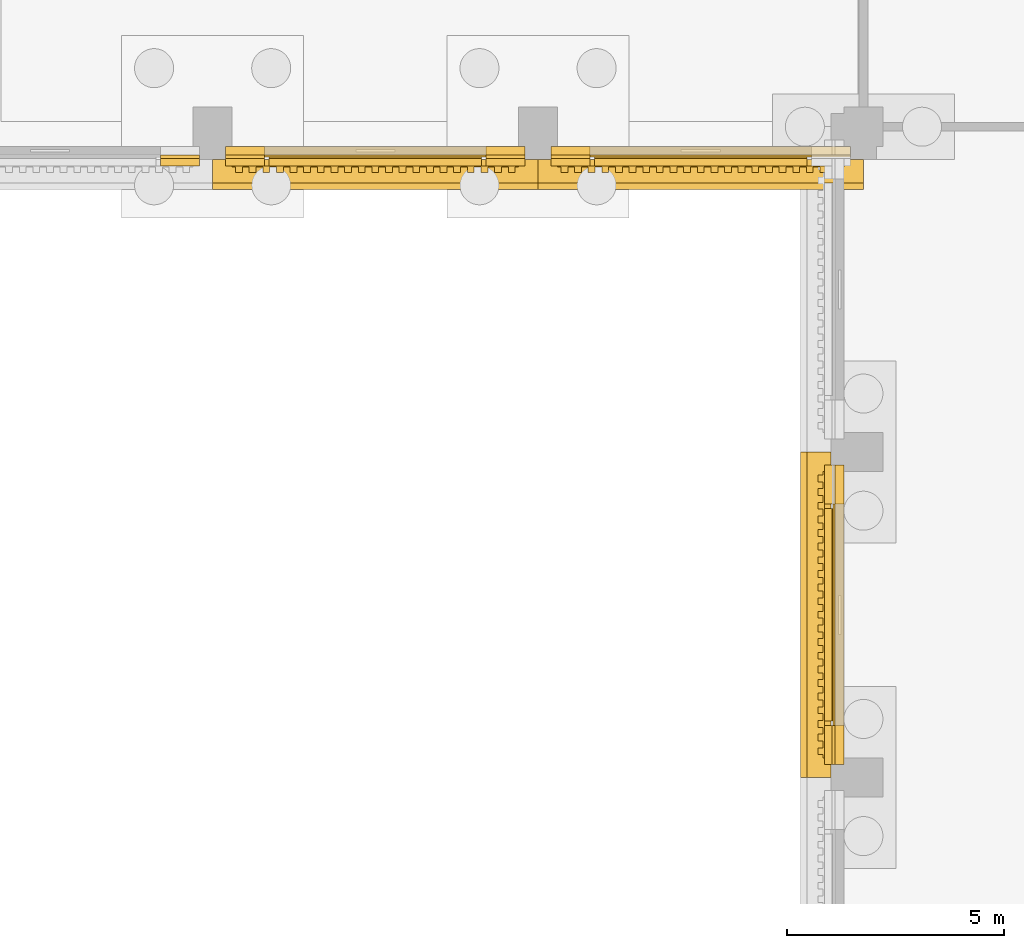
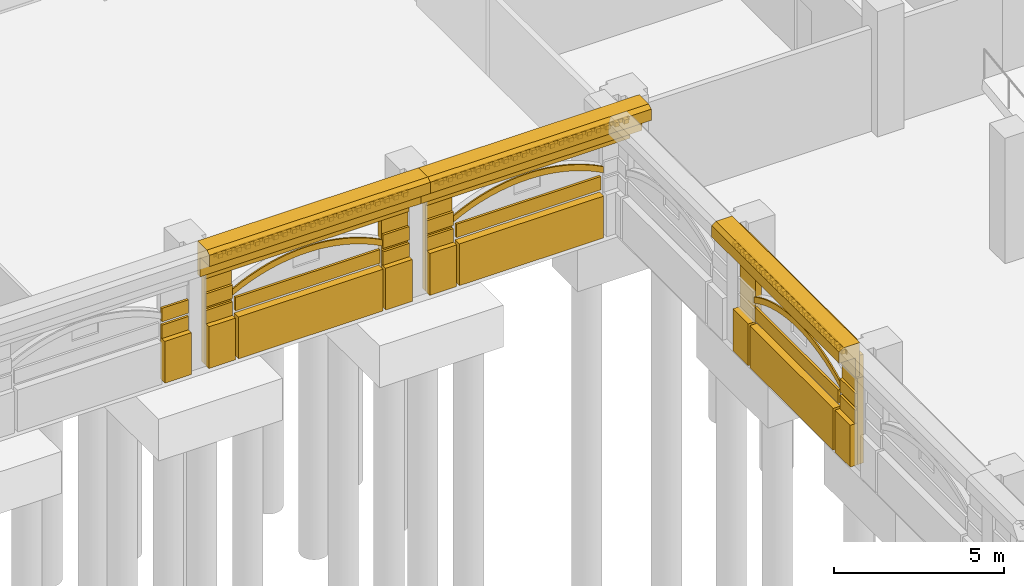
# One storey, part 83 of 99: 39 coverings.
"""IFC4 building model written with IfcOpenShell, lengths in metres."""

import ifcopenshell
import ifcopenshell.guid

model = None  # the IFC model being written
_history = None  # IfcOwnerHistory: only IFC2X3 demands one
_inside = {}  # id of a spatial element -> (the spatial element, [elements in it])
_under = {}  # id of a project, library or spatial element -> (it, [spatial elements below it])
_declared = {}  # id of a project -> (the project, [libraries it declares])
_typed = {}  # id of a type object -> (the type object, [elements of that type])
_made_of = {}  # id of a material, layer set ... -> (it, [elements and type objects made of it])


def new_model(schema):
    """Start an empty IFC model of exactly this schema.

    Asked for "IFC4X3", IfcOpenShell would pick the latest addendum, in which some entities
    have other attributes; the version numbers below select the first issue.
    IFC2X3 requires an IfcOwnerHistory on every rooted entity: one is made here for all.
    """
    global model, _history
    if schema == "IFC4X3":
        model = ifcopenshell.file(schema_version=(4, 3, 0, 0))
    else:
        model = ifcopenshell.file(schema=schema)
    _inside.clear()
    _under.clear()
    _declared.clear()
    _typed.clear()
    _made_of.clear()
    _history = None
    if model.schema == "IFC2X3":
        org = make("IfcOrganization", Name="unknown")
        user = make(
            "IfcPersonAndOrganization",
            ThePerson=make("IfcPerson", FamilyName="unknown"),
            TheOrganization=org,
        )
        app = make(
            "IfcApplication",
            ApplicationDeveloper=org,
            Version="unknown",
            ApplicationFullName="unknown",
            ApplicationIdentifier="unknown",
        )
        _history = make(
            "IfcOwnerHistory",
            OwningUser=user,
            OwningApplication=app,
            ChangeAction="ADDED",
            CreationDate=0,
        )
    return model


def make(cls, **values):
    """One entity of the class cls with the attributes given. An attribute that is None is left unset."""
    return model.create_entity(
        cls, **{name: value for name, value in values.items() if value is not None}
    )


def rooted(cls, **values):
    """An entity with a GlobalId (a new one), such as an element, a storey or a relation."""
    return make(cls, GlobalId=ifcopenshell.guid.new(), OwnerHistory=_history, **values)


def si_unit(unit_type, name, prefix=None):
    """IfcSIUnit, for example si_unit("LENGTHUNIT", "METRE", prefix="MILLI")."""
    return make("IfcSIUnit", UnitType=unit_type, Prefix=prefix, Name=name)


def assignment(units):
    """IfcUnitAssignment: the units of a project."""
    return None if units is None else make("IfcUnitAssignment", Units=units)


def point(xyz):
    """IfcCartesianPoint."""
    return None if xyz is None else make("IfcCartesianPoint", Coordinates=xyz)


def direction(xyz):
    """IfcDirection."""
    return None if xyz is None else make("IfcDirection", DirectionRatios=xyz)


def frame(location, z_axis=None, x_axis=None):
    """IfcAxis2Placement3D, a coordinate frame: its origin and axes. An axis left out is left unset."""
    return make(
        "IfcAxis2Placement3D",
        Location=point(location),
        Axis=direction(z_axis),
        RefDirection=direction(x_axis),
    )


def origin():
    """The frame at (0, 0, 0) with its axes left unset."""
    return frame((0.0, 0.0, 0.0))


def place(relative_to, where):
    """IfcLocalPlacement: puts the frame where relative to a parent placement (None: the world)."""
    return make(
        "IfcLocalPlacement", PlacementRelTo=relative_to, RelativePlacement=where
    )


def context(
    kind, dimensions, precision=None, world=None, true_north=None, identifier=None
):
    """IfcGeometricRepresentationContext, for example the 3D "Model" context."""
    return make(
        "IfcGeometricRepresentationContext",
        ContextIdentifier=identifier,
        ContextType=kind,
        CoordinateSpaceDimension=dimensions,
        Precision=precision,
        WorldCoordinateSystem=world,
        TrueNorth=true_north,
    )


def subcontext(parent, identifier, kind, view, scale=None):
    """IfcGeometricRepresentationSubContext, for example "Body" below "Model"."""
    return make(
        "IfcGeometricRepresentationSubContext",
        ContextIdentifier=identifier,
        ContextType=kind,
        ParentContext=parent,
        TargetScale=scale,
        TargetView=view,
    )


def project(units=None, contexts=None):
    """IfcProject with its units and contexts."""
    return rooted(
        "IfcProject",
        Name="project",
        RepresentationContexts=contexts,
        UnitsInContext=assignment(units),
    )


def spatial(cls, under=None, at=None, **own):
    """A site, building, storey or space (cls), placed at a placement, below another one or the project."""
    s = rooted(cls, ObjectPlacement=at, **own)
    if under is not None:
        _under.setdefault(under.id(), (under, []))[1].append(s)
    return s


def polyline(points):
    """IfcPolyline through the points."""
    return make("IfcPolyline", Points=[point(p) for p in points])


def outline(outer, holes=None, kind="AREA"):
    """IfcArbitraryClosedProfileDef: a profile drawn as a closed curve; with holes, ...WithVoids."""
    if holes is None:
        return make("IfcArbitraryClosedProfileDef", ProfileType=kind, OuterCurve=outer)
    return make(
        "IfcArbitraryProfileDefWithVoids",
        ProfileType=kind,
        OuterCurve=outer,
        InnerCurves=holes,
    )


def extrude(swept, where, along, depth):
    """IfcExtrudedAreaSolid: the profile swept, set in the frame where, extruded along a direction by depth."""
    return make(
        "IfcExtrudedAreaSolid",
        SweptArea=swept,
        Position=where,
        ExtrudedDirection=direction(along),
        Depth=depth,
    )


def shape(context_of_items, identifier, shape_type, items):
    """IfcShapeRepresentation: the items that make up one representation, for example the "Body"."""
    return make(
        "IfcShapeRepresentation",
        ContextOfItems=context_of_items,
        RepresentationIdentifier=identifier,
        RepresentationType=shape_type,
        Items=items,
    )


def material(Name=None, Category=None):
    """IfcMaterial."""
    return make("IfcMaterial", Name=Name, Category=Category)


def layer(
    of_material, thickness, ventilated=None, Name=None, Category=None, Priority=None
):
    """IfcMaterialLayer: one layer of a wall or slab, of a material (None: an air gap)."""
    return make(
        "IfcMaterialLayer",
        Material=of_material,
        LayerThickness=thickness,
        IsVentilated=ventilated,
        Name=Name,
        Category=Category,
        Priority=Priority,
    )


def layer_set(layers, Name=None):
    """IfcMaterialLayerSet."""
    return make("IfcMaterialLayerSet", MaterialLayers=layers, LayerSetName=Name)


def made_of(thing, what):
    """Note that an element or type object is made of a material, layer set ...; save() writes the relation."""
    if what is not None:
        _made_of.setdefault(what.id(), (what, []))[1].append(thing)
    return thing


def type_object(cls, material=None, **own):
    """A type object (cls), such as IfcWallType, which elements share."""
    return made_of(rooted(cls, **own), material)


def element(
    cls,
    number,
    at=None,
    inside=None,
    cuts=None,
    type_object=None,
    material=None,
    context=None,
    identifier="Body",
    shape_type=None,
    held_by="IfcProductDefinitionShape",
    body=None,
    shapes=None,
    **own,
):
    """One element of the class cls, such as IfcWall. Its Tag is "e" and its number.

    at: its placement. inside: the storey or other place that contains it. cuts: it is an
    opening in that element (IfcRelVoidsElement). A single representation is given by context,
    identifier, shape_type and body (its items); several are given by shapes. held_by: the class
    of the entity that holds the representations. save() writes the other relations.
    """
    e = rooted(cls, Tag="e%d" % number, ObjectPlacement=at, **own)
    if body is not None:
        shapes = [shape(context, identifier, shape_type, body)]
    if shapes is not None:
        e.Representation = make(held_by, Representations=shapes)
    if inside is not None:
        _inside.setdefault(inside.id(), (inside, []))[1].append(e)
    if cuts is not None:
        rooted(
            "IfcRelVoidsElement", RelatingBuildingElement=cuts, RelatedOpeningElement=e
        )
    if type_object is not None:
        _typed.setdefault(type_object.id(), (type_object, []))[1].append(e)
    return made_of(e, material)


def aggregate(whole, parts):
    """IfcRelAggregates: a whole, such as a stair, and the parts it consists of."""
    return rooted("IfcRelAggregates", RelatingObject=whole, RelatedObjects=parts)


def save(model, path):
    """Write the relations noted so far, then the file.

    IfcRelAggregates (storeys below a building ...), IfcRelContainedInSpatialStructure (elements
    in a storey), IfcRelDefinesByType, IfcRelAssociatesMaterial and IfcRelDeclares: one each for
    every whole, place, type object, material and project.
    """
    for whole, parts in _under.values():
        aggregate(whole, parts)
    for where, things in _inside.values():
        rooted(
            "IfcRelContainedInSpatialStructure",
            RelatedElements=things,
            RelatingStructure=where,
        )
    for kind, things in _typed.values():
        rooted("IfcRelDefinesByType", RelatedObjects=things, RelatingType=kind)
    for what, things in _made_of.values():
        rooted("IfcRelAssociatesMaterial", RelatedObjects=things, RelatingMaterial=what)
    for by, libraries in _declared.values():
        rooted("IfcRelDeclares", RelatingContext=by, RelatedDefinitions=libraries)
    model.write(path)


model = new_model("IFC4")

# Units and contexts
model_context = context("Model", 3, precision=1e-05, world=origin(), true_north=direction((0.0, 1.0)))
body_context = subcontext(model_context, "Body", "Model", "MODEL_VIEW")
ifc_project = project(units=[si_unit("LENGTHUNIT", "METRE"), si_unit("AREAUNIT", "SQUARE_METRE"), si_unit("VOLUMEUNIT", "CUBIC_METRE"), si_unit("PLANEANGLEUNIT", "RADIAN"), si_unit("MASSUNIT", "GRAM", prefix="KILO")], contexts=[model_context])

# Site, building, storey
site_placement = place(None, origin())
site = spatial("IfcSite", under=ifc_project, at=site_placement, CompositionType="ELEMENT")
building_placement = place(site_placement, origin())
building = spatial("IfcBuilding", under=site, at=building_placement, Name="Cour d'Honneur Mobility Palace", CompositionType="ELEMENT")
storey_placement = place(building_placement, origin())
storey = spatial("IfcBuildingStorey", under=building, at=storey_placement, Name="L00", CompositionType="ELEMENT", Elevation=0.0)

# Coverings
ifc_material_1 = material(Name="Cast limestone", Category="masonry")
ifc_layer_1 = layer(ifc_material_1, 0.050048828125)
ifc_layer_set_1 = layer_set([ifc_layer_1], Name="Cast limestone")
covering_type_1 = type_object("IfcCoveringType", Name="Arch hood", PredefinedType="CLADDING", material=ifc_layer_set_1)
for number, where, z_axis, x_axis, name in (
    (1, (131.10009765625, 44.300048828125, 2.179931640625), (0.0, -1.0, 0.0), (0.893466628376, 0.0, 0.449129584839), "Arch hood AH-22"),
    (2, (138.60009765625, 44.300048828125, 2.179931640625), (0.0, -1.0, 0.0), (0.893466628376, 0.0, 0.449129584839), "Arch hood AH-23"),
):
    element("IfcCovering", number, at=place(storey_placement, frame(where, z_axis=z_axis, x_axis=x_axis)), inside=storey, type_object=covering_type_1, Name=name, PredefinedType="CLADDING", context=body_context, shape_type="SweptSolid", body=[
        extrude(outline(polyline([(0.0, 0.0), (0.35659251896621735, 0.0), (0.7019994885684498, -0.022795326888668588), (1.0365522012474004, -0.0666397586034293), (1.3614544754480467, -0.13022567619190017), (1.6770364335570624, -0.21235277137119013), (1.9834088964060255, -0.3122569988605455), (2.2812274285521696, -0.4297213972129261), (2.5701654177709066, -0.564308533372167), (2.850768777841922, -0.7160195773922962), (3.122709726486599, -0.8849630099968336), (3.38566048142632, -1.0712473119092998), (3.6398380041081246, -1.2755280476869282), (3.8844770791972314, -1.4982403102778272), (4.119465715808033, -1.740694058742436), (4.343818226996622, -2.004306562810686), (4.556548925819088, -2.2904950922125074), (4.655344276390369, -2.0939586097498237), (4.44272322834545, -1.807551948846934), (4.218261066379314, -1.5441575762797524), (3.983272429768512, -1.3017038278151434), (3.7387430054569535, -1.078773433723176), (3.4844558319976, -0.8747108294466162), (3.221505077057879, -0.68842652753415), (2.949564128413202, -0.5194830949296125), (2.6689607683421865, -0.3677720509094833), (2.3800227791234496, -0.2331849147502425), (2.0822042469773057, -0.11572051639786185), (1.7758317841283424, -0.015816288908506504), (1.4603594767968753, 0.06652893777185187), (1.1353475518186806, 0.12989672385925438), (0.8007948391397299, 0.17374115557401504), (0.45549752031504603, 0.1967546139637521), (0.09879535057128006, 0.19653648246268365), (0.0, 0.0)])), origin(), (0.0, 0.0, -1.0), 0.050048828125),
    ])
covering_1_placement = place(storey_placement, frame((144.199951171875, 36.300048828125, 2.179931640625), z_axis=(-1.0, 0.0, 0.0), x_axis=(0.0, -0.893604607308, 0.448854994176)))
element("IfcCovering", 3, at=covering_1_placement, inside=storey, type_object=covering_type_1, Name="Arch hood AH-25", PredefinedType="CLADDING", context=body_context, shape_type="SweptSolid", body=[
    extrude(outline(polyline([(0.0, 0.0), (0.35681066731556765, 2.7755575615628914e-17), (0.7020064606072944, -0.022579595743628944), (1.0367907964215308, -0.06643079839719385), (1.3617125957426337, -0.129916867910564), (1.677101612077335, -0.2118373946082709), (1.9837229270167351, -0.31175705040594615), (2.2813593776637964, -0.4290203374513023), (2.570556878131994, -0.5636282580346337), (2.8512068469728096, -0.7152530632297959), (3.1229815352600987, -0.884003334485308), (3.3862076896297117, -1.070316404466126), (3.640229812229361, -1.2744094360692875), (3.885155482217271, -1.4971560923344107), (4.120218615712047, -1.7395376154593394), (4.344433961354672, -2.0029715780165787), (4.557470763348117, -2.2892043037950724), (4.656205712018263, -2.0926374700096892), (4.44327849376363, -1.8061865790438643), (4.218953564382193, -1.5429707816739562), (3.9838904308874175, -1.3005892585490275), (3.73907434463832, -1.0776244370965733), (3.484942638299858, -0.873749570680743), (3.221716483930245, -0.6874365006999249), (2.949941795642956, -0.5186862294444128), (2.6692918268021404, -0.3670614242492506), (2.3800943263339427, -0.23245350366591921), (2.0824578756868815, -0.11519021662056306), (1.7758365607474815, -0.015270560822887802), (1.460557128151593, 0.06686813106215028), (1.1355257450916771, 0.1301360353881893), (0.8007414092774409, 0.17398723804175414), (0.4556551997245267, 0.1967849989727143), (0.09873494867014648, 0.19656683378538312), (0.0, 0.0)])), origin(), (0.0, 0.0, -1.0), 0.050048828125),
])
ifc_material_2 = material(Name="Cast limestone", Category="masonry")
ifc_layer_2 = layer(ifc_material_2, 0.14990234375)
ifc_layer_set_2 = layer_set([ifc_layer_2], Name="Cast limestone")
covering_type_2 = type_object("IfcCoveringType", Name="Dentil course", PredefinedType="CLADDING", material=ifc_layer_set_2)
covering_2_placement = place(storey_placement, frame((0.0, 0.0, 3.949951171875)))
element("IfcCovering", 4, at=covering_2_placement, inside=storey, type_object=covering_type_2, Name="Dentil course DC-16", PredefinedType="CLADDING", context=body_context, shape_type="SweptSolid", body=[
    extrude(outline(polyline([(130.35009765625, 44.10009765625), (136.949951171875, 44.10009765625), (136.949951171875, 44.070068359375), (136.949951171875, 44.070068359375), (136.871337890625, 44.070068359375), (136.871337890625, 43.949951171875), (136.71435546875, 43.949951171875), (136.71435546875, 44.070068359375), (136.6357421875, 44.070068359375), (136.6357421875, 44.070068359375), (136.55712890625, 44.070068359375), (136.55712890625, 43.949951171875), (136.39990234375, 43.949951171875), (136.39990234375, 44.070068359375), (136.321533203125, 44.070068359375), (136.321533203125, 44.070068359375), (136.242919921875, 44.070068359375), (136.242919921875, 43.949951171875), (136.085693359375, 43.949951171875), (136.085693359375, 44.070068359375), (136.007080078125, 44.070068359375), (136.007080078125, 44.070068359375), (135.928466796875, 44.070068359375), (135.928466796875, 43.949951171875), (135.771484375, 43.949951171875), (135.771484375, 44.070068359375), (135.69287109375, 44.070068359375), (135.69287109375, 44.070068359375), (135.6142578125, 44.070068359375), (135.6142578125, 43.949951171875), (135.45703125, 43.949951171875), (135.45703125, 44.070068359375), (135.378662109375, 44.070068359375), (135.378662109375, 44.070068359375), (135.300048828125, 44.070068359375), (135.300048828125, 43.949951171875), (135.142822265625, 43.949951171875), (135.142822265625, 44.070068359375), (135.064208984375, 44.070068359375), (135.064208984375, 44.070068359375), (134.985595703125, 44.070068359375), (134.985595703125, 43.949951171875), (134.82861328125, 43.949951171875), (134.82861328125, 44.070068359375), (134.75, 44.070068359375), (134.75, 44.070068359375), (134.67138671875, 44.070068359375), (134.67138671875, 43.949951171875), (134.514404296875, 43.949951171875), (134.514404296875, 44.070068359375), (134.435791015625, 44.070068359375), (134.435791015625, 44.070068359375), (134.357177734375, 44.070068359375), (134.357177734375, 43.949951171875), (134.199951171875, 43.949951171875), (134.199951171875, 44.070068359375), (134.121337890625, 44.070068359375), (134.121337890625, 44.070068359375), (134.04296875, 44.070068359375), (134.04296875, 43.949951171875), (133.8857421875, 43.949951171875), (133.8857421875, 44.070068359375), (133.80712890625, 44.070068359375), (133.80712890625, 44.070068359375), (133.728515625, 44.070068359375), (133.728515625, 43.949951171875), (133.571533203125, 43.949951171875), (133.571533203125, 44.070068359375), (133.492919921875, 44.070068359375), (133.492919921875, 44.070068359375), (133.414306640625, 44.070068359375), (133.414306640625, 43.949951171875), (133.257080078125, 43.949951171875), (133.257080078125, 44.070068359375), (133.178466796875, 44.070068359375), (133.178466796875, 44.070068359375), (133.10009765625, 44.070068359375), (133.10009765625, 43.949951171875), (132.94287109375, 43.949951171875), (132.94287109375, 44.070068359375), (132.8642578125, 44.070068359375), (132.8642578125, 44.070068359375), (132.78564453125, 44.070068359375), (132.78564453125, 43.949951171875), (132.628662109375, 43.949951171875), (132.628662109375, 44.070068359375), (132.550048828125, 44.070068359375), (132.550048828125, 44.070068359375), (132.471435546875, 44.070068359375), (132.471435546875, 43.949951171875), (132.314208984375, 43.949951171875), (132.314208984375, 44.070068359375), (132.235595703125, 44.070068359375), (132.235595703125, 44.070068359375), (132.1572265625, 44.070068359375), (132.1572265625, 43.949951171875), (132.0, 43.949951171875), (132.0, 44.070068359375), (131.92138671875, 44.070068359375), (131.92138671875, 44.070068359375), (131.8427734375, 44.070068359375), (131.8427734375, 43.949951171875), (131.685791015625, 43.949951171875), (131.685791015625, 44.070068359375), (131.607177734375, 44.070068359375), (131.607177734375, 44.070068359375), (131.528564453125, 44.070068359375), (131.528564453125, 43.949951171875), (131.371337890625, 43.949951171875), (131.371337890625, 44.070068359375), (131.29296875, 44.070068359375), (131.29296875, 44.070068359375), (131.21435546875, 44.070068359375), (131.21435546875, 43.949951171875), (131.05712890625, 43.949951171875), (131.05712890625, 44.070068359375), (130.978515625, 44.070068359375), (130.978515625, 44.070068359375), (130.89990234375, 44.070068359375), (130.89990234375, 43.949951171875), (130.742919921875, 43.949951171875), (130.742919921875, 44.070068359375), (130.664306640625, 44.070068359375), (130.664306640625, 44.070068359375), (130.585693359375, 44.070068359375), (130.585693359375, 43.949951171875), (130.428466796875, 43.949951171875), (130.428466796875, 44.070068359375), (130.35009765625, 44.070068359375), (130.35009765625, 44.10009765625)])), origin(), (0.0, 0.0, 1.0), 0.150146484375),
])
covering_3_placement = place(storey_placement, frame((0.0, 0.0, 3.949951171875)))
element("IfcCovering", 5, at=covering_3_placement, inside=storey, type_object=covering_type_2, Name="Dentil course DC-17", PredefinedType="CLADDING", context=body_context, shape_type="SweptSolid", body=[
    extrude(outline(polyline([(137.85009765625, 44.10009765625), (144.449951171875, 44.10009765625), (144.449951171875, 44.070068359375), (144.449951171875, 44.070068359375), (144.371337890625, 44.070068359375), (144.371337890625, 43.949951171875), (144.21435546875, 43.949951171875), (144.21435546875, 44.070068359375), (144.1357421875, 44.070068359375), (144.1357421875, 44.070068359375), (144.05712890625, 44.070068359375), (144.05712890625, 43.949951171875), (143.89990234375, 43.949951171875), (143.89990234375, 44.070068359375), (143.821533203125, 44.070068359375), (143.821533203125, 44.070068359375), (143.742919921875, 44.070068359375), (143.742919921875, 43.949951171875), (143.585693359375, 43.949951171875), (143.585693359375, 44.070068359375), (143.507080078125, 44.070068359375), (143.507080078125, 44.070068359375), (143.428466796875, 44.070068359375), (143.428466796875, 43.949951171875), (143.271484375, 43.949951171875), (143.271484375, 44.070068359375), (143.19287109375, 44.070068359375), (143.19287109375, 44.070068359375), (143.1142578125, 44.070068359375), (143.1142578125, 43.949951171875), (142.95703125, 43.949951171875), (142.95703125, 44.070068359375), (142.878662109375, 44.070068359375), (142.878662109375, 44.070068359375), (142.800048828125, 44.070068359375), (142.800048828125, 43.949951171875), (142.642822265625, 43.949951171875), (142.642822265625, 44.070068359375), (142.564208984375, 44.070068359375), (142.564208984375, 44.070068359375), (142.485595703125, 44.070068359375), (142.485595703125, 43.949951171875), (142.32861328125, 43.949951171875), (142.32861328125, 44.070068359375), (142.25, 44.070068359375), (142.25, 44.070068359375), (142.17138671875, 44.070068359375), (142.17138671875, 43.949951171875), (142.014404296875, 43.949951171875), (142.014404296875, 44.070068359375), (141.935791015625, 44.070068359375), (141.935791015625, 44.070068359375), (141.857177734375, 44.070068359375), (141.857177734375, 43.949951171875), (141.699951171875, 43.949951171875), (141.699951171875, 44.070068359375), (141.621337890625, 44.070068359375), (141.621337890625, 44.070068359375), (141.54296875, 44.070068359375), (141.54296875, 43.949951171875), (141.3857421875, 43.949951171875), (141.3857421875, 44.070068359375), (141.30712890625, 44.070068359375), (141.30712890625, 44.070068359375), (141.228515625, 44.070068359375), (141.228515625, 43.949951171875), (141.071533203125, 43.949951171875), (141.071533203125, 44.070068359375), (140.992919921875, 44.070068359375), (140.992919921875, 44.070068359375), (140.914306640625, 44.070068359375), (140.914306640625, 43.949951171875), (140.757080078125, 43.949951171875), (140.757080078125, 44.070068359375), (140.678466796875, 44.070068359375), (140.678466796875, 44.070068359375), (140.60009765625, 44.070068359375), (140.60009765625, 43.949951171875), (140.44287109375, 43.949951171875), (140.44287109375, 44.070068359375), (140.3642578125, 44.070068359375), (140.3642578125, 44.070068359375), (140.28564453125, 44.070068359375), (140.28564453125, 43.949951171875), (140.128662109375, 43.949951171875), (140.128662109375, 44.070068359375), (140.050048828125, 44.070068359375), (140.050048828125, 44.070068359375), (139.971435546875, 44.070068359375), (139.971435546875, 43.949951171875), (139.814208984375, 43.949951171875), (139.814208984375, 44.070068359375), (139.735595703125, 44.070068359375), (139.735595703125, 44.070068359375), (139.6572265625, 44.070068359375), (139.6572265625, 43.949951171875), (139.5, 43.949951171875), (139.5, 44.070068359375), (139.42138671875, 44.070068359375), (139.42138671875, 44.070068359375), (139.3427734375, 44.070068359375), (139.3427734375, 43.949951171875), (139.185791015625, 43.949951171875), (139.185791015625, 44.070068359375), (139.107177734375, 44.070068359375), (139.107177734375, 44.070068359375), (139.028564453125, 44.070068359375), (139.028564453125, 43.949951171875), (138.871337890625, 43.949951171875), (138.871337890625, 44.070068359375), (138.79296875, 44.070068359375), (138.79296875, 44.070068359375), (138.71435546875, 44.070068359375), (138.71435546875, 43.949951171875), (138.55712890625, 43.949951171875), (138.55712890625, 44.070068359375), (138.478515625, 44.070068359375), (138.478515625, 44.070068359375), (138.39990234375, 44.070068359375), (138.39990234375, 43.949951171875), (138.242919921875, 43.949951171875), (138.242919921875, 44.070068359375), (138.164306640625, 44.070068359375), (138.164306640625, 44.070068359375), (138.085693359375, 44.070068359375), (138.085693359375, 43.949951171875), (137.928466796875, 43.949951171875), (137.928466796875, 44.070068359375), (137.85009765625, 44.070068359375), (137.85009765625, 44.10009765625)])), origin(), (0.0, 0.0, 1.0), 0.150146484375),
])
covering_4_placement = place(storey_placement, frame((0.0, 0.0, 3.949951171875)))
element("IfcCovering", 6, at=covering_4_placement, inside=storey, type_object=covering_type_2, Name="Dentil course DC-19", PredefinedType="CLADDING", context=body_context, shape_type="SweptSolid", body=[
    extrude(outline(polyline([(144.0, 37.050048828125), (144.0, 30.449951171875), (143.969970703125, 30.449951171875), (143.969970703125, 30.449951171875), (143.969970703125, 30.528564453125), (143.85009765625, 30.528564453125), (143.85009765625, 30.685791015625), (143.969970703125, 30.685791015625), (143.969970703125, 30.764404296875), (143.969970703125, 30.764404296875), (143.969970703125, 30.8427734375), (143.85009765625, 30.8427734375), (143.85009765625, 31.0), (143.969970703125, 31.0), (143.969970703125, 31.07861328125), (143.969970703125, 31.07861328125), (143.969970703125, 31.1572265625), (143.85009765625, 31.1572265625), (143.85009765625, 31.314208984375), (143.969970703125, 31.314208984375), (143.969970703125, 31.392822265625), (143.969970703125, 31.392822265625), (143.969970703125, 31.471435546875), (143.85009765625, 31.471435546875), (143.85009765625, 31.628662109375), (143.969970703125, 31.628662109375), (143.969970703125, 31.70703125), (143.969970703125, 31.70703125), (143.969970703125, 31.78564453125), (143.85009765625, 31.78564453125), (143.85009765625, 31.94287109375), (143.969970703125, 31.94287109375), (143.969970703125, 32.021484375), (143.969970703125, 32.021484375), (143.969970703125, 32.10009765625), (143.85009765625, 32.10009765625), (143.85009765625, 32.257080078125), (143.969970703125, 32.257080078125), (143.969970703125, 32.335693359375), (143.969970703125, 32.335693359375), (143.969970703125, 32.414306640625), (143.85009765625, 32.414306640625), (143.85009765625, 32.571533203125), (143.969970703125, 32.571533203125), (143.969970703125, 32.64990234375), (143.969970703125, 32.64990234375), (143.969970703125, 32.728515625), (143.85009765625, 32.728515625), (143.85009765625, 32.8857421875), (143.969970703125, 32.8857421875), (143.969970703125, 32.96435546875), (143.969970703125, 32.96435546875), (143.969970703125, 33.04296875), (143.85009765625, 33.04296875), (143.85009765625, 33.199951171875), (143.969970703125, 33.199951171875), (143.969970703125, 33.278564453125), (143.969970703125, 33.278564453125), (143.969970703125, 33.357177734375), (143.85009765625, 33.357177734375), (143.85009765625, 33.514404296875), (143.969970703125, 33.514404296875), (143.969970703125, 33.5927734375), (143.969970703125, 33.5927734375), (143.969970703125, 33.67138671875), (143.85009765625, 33.67138671875), (143.85009765625, 33.82861328125), (143.969970703125, 33.82861328125), (143.969970703125, 33.9072265625), (143.969970703125, 33.9072265625), (143.969970703125, 33.985595703125), (143.85009765625, 33.985595703125), (143.85009765625, 34.142822265625), (143.969970703125, 34.142822265625), (143.969970703125, 34.221435546875), (143.969970703125, 34.221435546875), (143.969970703125, 34.300048828125), (143.85009765625, 34.300048828125), (143.85009765625, 34.45703125), (143.969970703125, 34.45703125), (143.969970703125, 34.53564453125), (143.969970703125, 34.53564453125), (143.969970703125, 34.6142578125), (143.85009765625, 34.6142578125), (143.85009765625, 34.771484375), (143.969970703125, 34.771484375), (143.969970703125, 34.85009765625), (143.969970703125, 34.85009765625), (143.969970703125, 34.928466796875), (143.85009765625, 34.928466796875), (143.85009765625, 35.085693359375), (143.969970703125, 35.085693359375), (143.969970703125, 35.164306640625), (143.969970703125, 35.164306640625), (143.969970703125, 35.242919921875), (143.85009765625, 35.242919921875), (143.85009765625, 35.39990234375), (143.969970703125, 35.39990234375), (143.969970703125, 35.478515625), (143.969970703125, 35.478515625), (143.969970703125, 35.55712890625), (143.85009765625, 35.55712890625), (143.85009765625, 35.71435546875), (143.969970703125, 35.71435546875), (143.969970703125, 35.79296875), (143.969970703125, 35.79296875), (143.969970703125, 35.871337890625), (143.85009765625, 35.871337890625), (143.85009765625, 36.028564453125), (143.969970703125, 36.028564453125), (143.969970703125, 36.107177734375), (143.969970703125, 36.107177734375), (143.969970703125, 36.185791015625), (143.85009765625, 36.185791015625), (143.85009765625, 36.3427734375), (143.969970703125, 36.3427734375), (143.969970703125, 36.42138671875), (143.969970703125, 36.42138671875), (143.969970703125, 36.5), (143.85009765625, 36.5), (143.85009765625, 36.6572265625), (143.969970703125, 36.6572265625), (143.969970703125, 36.735595703125), (143.969970703125, 36.735595703125), (143.969970703125, 36.814208984375), (143.85009765625, 36.814208984375), (143.85009765625, 36.971435546875), (143.969970703125, 36.971435546875), (143.969970703125, 37.050048828125), (144.0, 37.050048828125)])), origin(), (0.0, 0.0, 1.0), 0.150146484375),
])
ifc_material_3 = material(Name="Cast limestone", Category="masonry")
ifc_layer_3 = layer(ifc_material_3, 0.699951171875)
ifc_layer_set_3 = layer_set([ifc_layer_3], Name="Cast limestone")
covering_type_3 = type_object("IfcCoveringType", Name="Entablature", PredefinedType="CLADDING", material=ifc_layer_set_3)
for number, where, z_axis, x_axis, name in (
    (7, (129.89990234375, 44.25, 3.39990234375), (-1.0, 0.0, 0.0), (0.0, -1.0, 0.0), "Entablature EN-16"),
    (8, (137.39990234375, 44.25, 3.39990234375), (-1.0, 0.0, 0.0), (0.0, -1.0, 0.0), "Entablature EN-17"),
):
    element("IfcCovering", number, at=place(storey_placement, frame(where, z_axis=z_axis, x_axis=x_axis)), inside=storey, type_object=covering_type_3, Name=name, PredefinedType="CLADDING", context=body_context, shape_type="SweptSolid", body=[
        extrude(outline(polyline([(0.0, 0.0), (0.14990234375, 0.0), (0.14990234375, 0.7001953125), (0.699951171875, 0.7001953125), (0.699951171875, 1.10009765625), (0.550048828125, 1.2001953125), (0.0, 1.2001953125), (0.0, 0.0)])), origin(), (0.0, 0.0, -1.0), 7.5),
    ])
covering_5_placement = place(storey_placement, frame((144.14990234375, 37.5, 3.39990234375), z_axis=(0.0, 1.0, 0.0), x_axis=(-1.0, 0.0, 0.0)))
element("IfcCovering", 9, at=covering_5_placement, inside=storey, type_object=covering_type_3, Name="Entablature EN-19", PredefinedType="CLADDING", context=body_context, shape_type="SweptSolid", body=[
    extrude(outline(polyline([(0.0, 0.0), (0.14990234375, 0.0), (0.14990234375, 0.7001953125), (0.699951171875, 0.7001953125), (0.699951171875, 1.10009765625), (0.5498046875, 1.2001953125), (0.0, 1.2001953125), (0.0, 0.0)])), origin(), (0.0, 0.0, -1.0), 7.5),
])
ifc_material_4 = material(Name="Cast limestone", Category="masonry")
ifc_layer_4 = layer(ifc_material_4, 0.25)
ifc_layer_set_4 = layer_set([ifc_layer_4], Name="Cast limestone")
covering_type_4 = type_object("IfcCoveringType", Name="Plinth course", PredefinedType="CLADDING", material=ifc_layer_set_4)
covering_6_placement = place(storey_placement, origin())
element("IfcCovering", 10, at=covering_6_placement, inside=storey, type_object=covering_type_4, Name="Plinth course PI-61", PredefinedType="CLADDING", context=body_context, shape_type="SweptSolid", body=[
    extrude(outline(polyline([(128.699951171875, 44.35009765625), (129.60009765625, 44.35009765625), (129.60009765625, 44.10009765625), (128.699951171875, 44.10009765625), (128.699951171875, 44.35009765625)])), origin(), (0.0, 0.0, 1.0), 1.5),
])
covering_7_placement = place(storey_placement, origin())
element("IfcCovering", 11, at=covering_7_placement, inside=storey, type_object=covering_type_4, Name="Plinth course PI-63", PredefinedType="CLADDING", context=body_context, shape_type="SweptSolid", body=[
    extrude(outline(polyline([(130.199951171875, 44.35009765625), (131.10009765625, 44.35009765625), (131.10009765625, 44.10009765625), (130.199951171875, 44.10009765625), (130.199951171875, 44.35009765625)])), origin(), (0.0, 0.0, 1.0), 1.5),
])
covering_8_placement = place(storey_placement, origin())
element("IfcCovering", 12, at=covering_8_placement, inside=storey, type_object=covering_type_4, Name="Plinth course PI-64", PredefinedType="CLADDING", context=body_context, shape_type="SweptSolid", body=[
    extrude(outline(polyline([(136.199951171875, 44.35009765625), (137.10009765625, 44.35009765625), (137.10009765625, 44.10009765625), (136.199951171875, 44.10009765625), (136.199951171875, 44.35009765625)])), origin(), (0.0, 0.0, 1.0), 1.5),
])
covering_9_placement = place(storey_placement, origin())
element("IfcCovering", 13, at=covering_9_placement, inside=storey, type_object=covering_type_4, Name="Plinth course PI-65", PredefinedType="CLADDING", context=body_context, shape_type="SweptSolid", body=[
    extrude(outline(polyline([(131.199951171875, 44.35009765625), (136.10009765625, 44.35009765625), (136.10009765625, 44.10009765625), (131.199951171875, 44.10009765625), (131.199951171875, 44.35009765625)])), origin(), (0.0, 0.0, 1.0), 1.5),
])
covering_10_placement = place(storey_placement, origin())
element("IfcCovering", 14, at=covering_10_placement, inside=storey, type_object=covering_type_4, Name="Plinth course PI-66", PredefinedType="CLADDING", context=body_context, shape_type="SweptSolid", body=[
    extrude(outline(polyline([(137.699951171875, 44.35009765625), (138.60009765625, 44.35009765625), (138.60009765625, 44.10009765625), (137.699951171875, 44.10009765625), (137.699951171875, 44.35009765625)])), origin(), (0.0, 0.0, 1.0), 1.5),
])
covering_11_placement = place(storey_placement, origin())
element("IfcCovering", 15, at=covering_11_placement, inside=storey, type_object=covering_type_4, Name="Plinth course PI-68", PredefinedType="CLADDING", context=body_context, shape_type="SweptSolid", body=[
    extrude(outline(polyline([(138.699951171875, 44.35009765625), (143.60009765625, 44.35009765625), (143.60009765625, 44.10009765625), (138.699951171875, 44.10009765625), (138.699951171875, 44.35009765625)])), origin(), (0.0, 0.0, 1.0), 1.5),
])
covering_12_placement = place(storey_placement, origin())
element("IfcCovering", 16, at=covering_12_placement, inside=storey, type_object=covering_type_4, Name="Plinth course PI-72", PredefinedType="CLADDING", context=body_context, shape_type="SweptSolid", body=[
    extrude(outline(polyline([(144.25, 37.199951171875), (144.25, 36.300048828125), (144.0, 36.300048828125), (144.0, 37.199951171875), (144.25, 37.199951171875)])), origin(), (0.0, 0.0, 1.0), 1.5),
])
covering_13_placement = place(storey_placement, origin())
element("IfcCovering", 17, at=covering_13_placement, inside=storey, type_object=covering_type_4, Name="Plinth course PI-73", PredefinedType="CLADDING", context=body_context, shape_type="SweptSolid", body=[
    extrude(outline(polyline([(144.25, 31.199951171875), (144.25, 30.300048828125), (144.0, 30.300048828125), (144.0, 31.199951171875), (144.25, 31.199951171875)])), origin(), (0.0, 0.0, 1.0), 1.5),
])
covering_14_placement = place(storey_placement, origin())
element("IfcCovering", 18, at=covering_14_placement, inside=storey, type_object=covering_type_4, Name="Plinth course PI-74", PredefinedType="CLADDING", context=body_context, shape_type="SweptSolid", body=[
    extrude(outline(polyline([(144.25, 36.199951171875), (144.25, 31.300048828125), (144.0, 31.300048828125), (144.0, 36.199951171875), (144.25, 36.199951171875)])), origin(), (0.0, 0.0, 1.0), 1.5),
])
ifc_material_5 = material(Name="Cast limestone", Category="masonry")
ifc_layer_5 = layer(ifc_material_5, 0.199951171875)
ifc_layer_set_5 = layer_set([ifc_layer_5], Name="Cast limestone")
covering_type_5 = type_object("IfcCoveringType", Name="Rusticated jamb panel", PredefinedType="CLADDING", material=ifc_layer_set_5)
for number, where, z_axis, x_axis, name in (
    (19, (130.199951171875, 44.35009765625, 0.0), (0.0, -1.0, 0.0), (1.0, 0.0, 0.0), "Rusticated jamb panel RP-47"),
    (20, (136.199951171875, 44.35009765625, 0.0), (0.0, -1.0, 0.0), (1.0, 0.0, 0.0), "Rusticated jamb panel RP-48"),
    (21, (137.699951171875, 44.35009765625, 0.0), (0.0, -1.0, 0.0), (1.0, 0.0, 0.0), "Rusticated jamb panel RP-49"),
):
    element("IfcCovering", number, at=place(storey_placement, frame(where, z_axis=z_axis, x_axis=x_axis)), inside=storey, type_object=covering_type_5, Name=name, PredefinedType="CLADDING", context=body_context, shape_type="SweptSolid", body=[
        extrude(outline(polyline([(0.0, 0.0), (0.900146484375, 0.0), (0.900146484375, 3.10009765625), (0.0, 3.10009765625), (0.0, 0.0)])), origin(), (0.0, 0.0, -1.0), 0.199951171875),
    ])
for number, where, z_axis, x_axis, name in (
    (22, (144.25, 37.199951171875, 0.0), (-1.0, 0.0, 0.0), (0.0, -1.0, 0.0), "Rusticated jamb panel RP-53"),
    (23, (144.25, 31.199951171875, 0.0), (-1.0, 0.0, 0.0), (0.0, -1.0, 0.0), "Rusticated jamb panel RP-54"),
):
    element("IfcCovering", number, at=place(storey_placement, frame(where, z_axis=z_axis, x_axis=x_axis)), inside=storey, type_object=covering_type_5, Name=name, PredefinedType="CLADDING", context=body_context, shape_type="SweptSolid", body=[
        extrude(outline(polyline([(0.0, 0.0), (0.89990234375, 0.0), (0.89990234375, 3.10009765625), (0.0, 3.10009765625), (0.0, 0.0)])), origin(), (0.0, 0.0, -1.0), 0.199951171875),
    ])
ifc_material_6 = material(Name="Cast limestone", Category="masonry")
ifc_layer_6 = layer(ifc_material_6, 0.080078125)
ifc_layer_set_6 = layer_set([ifc_layer_6], Name="Cast limestone")
covering_type_6 = type_object("IfcCoveringType", Name="Rustication course", PredefinedType="CLADDING", material=ifc_layer_set_6)
for number, where, name in (
    (24, (0.0, 0.0, 1.5), "Rustication course RC-104"),
    (25, (0.0, 0.0, 2.10009765625), "Rustication course RC-105"),
):
    element("IfcCovering", number, at=place(storey_placement, frame(where)), inside=storey, type_object=covering_type_6, Name=name, PredefinedType="CLADDING", context=body_context, shape_type="SweptSolid", body=[
        extrude(outline(polyline([(128.699951171875, 44.35009765625), (129.60009765625, 44.35009765625), (129.60009765625, 44.27001953125), (128.699951171875, 44.27001953125), (128.699951171875, 44.35009765625)])), origin(), (0.0, 0.0, 1.0), 0.47998046875),
    ])
for number, where, name in (
    (26, (0.0, 0.0, 1.5), "Rustication course RC-107"),
    (27, (0.0, 0.0, 2.10009765625), "Rustication course RC-108"),
):
    element("IfcCovering", number, at=place(storey_placement, frame(where)), inside=storey, type_object=covering_type_6, Name=name, PredefinedType="CLADDING", context=body_context, shape_type="SweptSolid", body=[
        extrude(outline(polyline([(130.199951171875, 44.35009765625), (131.10009765625, 44.35009765625), (131.10009765625, 44.27001953125), (130.199951171875, 44.27001953125), (130.199951171875, 44.35009765625)])), origin(), (0.0, 0.0, 1.0), 0.47998046875),
    ])
for number, where, name in (
    (28, (0.0, 0.0, 1.5), "Rustication course RC-109"),
    (29, (0.0, 0.0, 2.10009765625), "Rustication course RC-110"),
):
    element("IfcCovering", number, at=place(storey_placement, frame(where)), inside=storey, type_object=covering_type_6, Name=name, PredefinedType="CLADDING", context=body_context, shape_type="SweptSolid", body=[
        extrude(outline(polyline([(136.199951171875, 44.35009765625), (137.10009765625, 44.35009765625), (137.10009765625, 44.27001953125), (136.199951171875, 44.27001953125), (136.199951171875, 44.35009765625)])), origin(), (0.0, 0.0, 1.0), 0.47998046875),
    ])
covering_15_placement = place(storey_placement, frame((0.0, 0.0, 1.6201171875)))
element("IfcCovering", 30, at=covering_15_placement, inside=storey, type_object=covering_type_6, Name="Rustication course RC-111", PredefinedType="CLADDING", context=body_context, shape_type="SweptSolid", body=[
    extrude(outline(polyline([(131.199951171875, 44.35009765625), (136.10009765625, 44.35009765625), (136.10009765625, 44.27001953125), (131.199951171875, 44.27001953125), (131.199951171875, 44.35009765625)])), origin(), (0.0, 0.0, 1.0), 0.47998046875),
])
for number, where, name in (
    (31, (0.0, 0.0, 1.5), "Rustication course RC-112"),
    (32, (0.0, 0.0, 2.10009765625), "Rustication course RC-113"),
):
    element("IfcCovering", number, at=place(storey_placement, frame(where)), inside=storey, type_object=covering_type_6, Name=name, PredefinedType="CLADDING", context=body_context, shape_type="SweptSolid", body=[
        extrude(outline(polyline([(137.699951171875, 44.35009765625), (138.60009765625, 44.35009765625), (138.60009765625, 44.27001953125), (137.699951171875, 44.27001953125), (137.699951171875, 44.35009765625)])), origin(), (0.0, 0.0, 1.0), 0.47998046875),
    ])
covering_16_placement = place(storey_placement, frame((0.0, 0.0, 1.6201171875)))
element("IfcCovering", 33, at=covering_16_placement, inside=storey, type_object=covering_type_6, Name="Rustication course RC-116", PredefinedType="CLADDING", context=body_context, shape_type="SweptSolid", body=[
    extrude(outline(polyline([(138.699951171875, 44.35009765625), (143.60009765625, 44.35009765625), (143.60009765625, 44.27001953125), (138.699951171875, 44.27001953125), (138.699951171875, 44.35009765625)])), origin(), (0.0, 0.0, 1.0), 0.47998046875),
])
for number, where, name in (
    (34, (0.0, 0.0, 1.5), "Rustication course RC-124"),
    (35, (0.0, 0.0, 2.10009765625), "Rustication course RC-125"),
):
    element("IfcCovering", number, at=place(storey_placement, frame(where)), inside=storey, type_object=covering_type_6, Name=name, PredefinedType="CLADDING", context=body_context, shape_type="SweptSolid", body=[
        extrude(outline(polyline([(144.25, 31.199951171875), (144.25, 30.300048828125), (144.169921875, 30.300048828125), (144.169921875, 31.199951171875), (144.25, 31.199951171875)])), origin(), (0.0, 0.0, 1.0), 0.47998046875),
    ])
covering_17_placement = place(storey_placement, frame((0.0, 0.0, 1.6201171875)))
element("IfcCovering", 36, at=covering_17_placement, inside=storey, type_object=covering_type_6, Name="Rustication course RC-126", PredefinedType="CLADDING", context=body_context, shape_type="SweptSolid", body=[
    extrude(outline(polyline([(144.25, 36.199951171875), (144.25, 31.300048828125), (144.169921875, 31.300048828125), (144.169921875, 36.199951171875), (144.25, 36.199951171875)])), origin(), (0.0, 0.0, 1.0), 0.47998046875),
])
ifc_material_7 = material(Name="Cast limestone", Category="masonry")
ifc_layer_7 = layer(ifc_material_7, 0.25)
ifc_layer_set_7 = layer_set([ifc_layer_7], Name="Cast limestone")
covering_type_7 = type_object("IfcCoveringType", Name="Spandrel cladding", PredefinedType="CLADDING", material=ifc_layer_set_7)
for number, where, z_axis, x_axis, name in (
    (37, (130.199951171875, 44.550048828125, 3.10009765625), (-1.0, 0.0, 0.0), (0.0, -1.0, 0.0), "Spandrel cladding SK-16"),
    (38, (137.699951171875, 44.550048828125, 3.10009765625), (-1.0, 0.0, 0.0), (0.0, -1.0, 0.0), "Spandrel cladding SK-17"),
    (39, (144.449951171875, 37.199951171875, 3.10009765625), (0.0, 1.0, 0.0), (-1.0, 0.0, 0.0), "Spandrel cladding SK-19"),
):
    element("IfcCovering", number, at=place(storey_placement, frame(where, z_axis=z_axis, x_axis=x_axis)), inside=storey, type_object=covering_type_7, Name=name, PredefinedType="CLADDING", context=body_context, shape_type="SweptSolid", body=[
        extrude(outline(polyline([(0.0, 0.0), (0.25, 0.0), (0.25, 1.39990234375), (0.199951171875, 1.39990234375), (0.199951171875, 0.7998046875), (0.0, 0.7998046875), (0.0, 0.0)])), origin(), (0.0, 0.0, -1.0), 6.89990234375),
    ])

save(model, "model.ifc")
